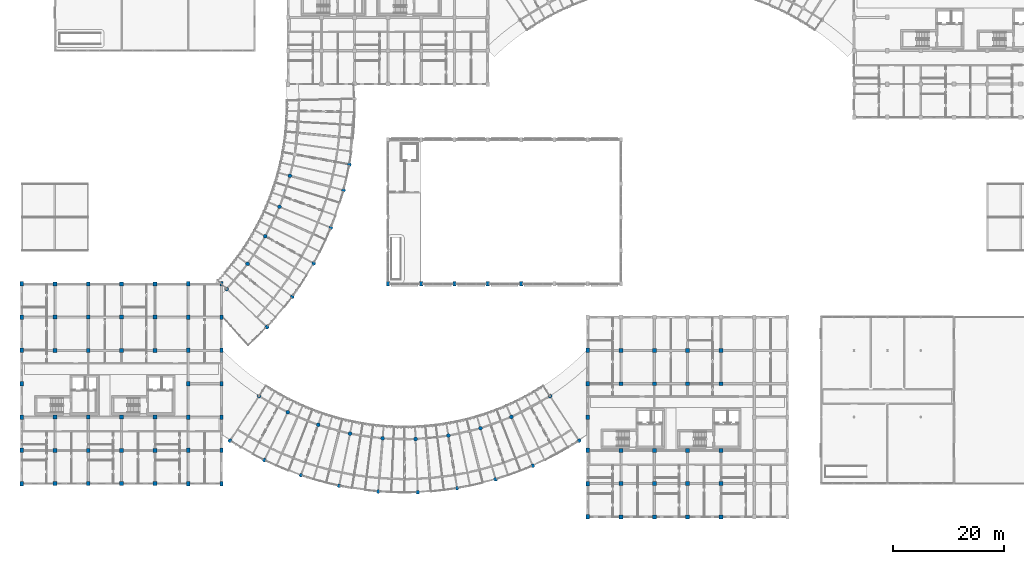
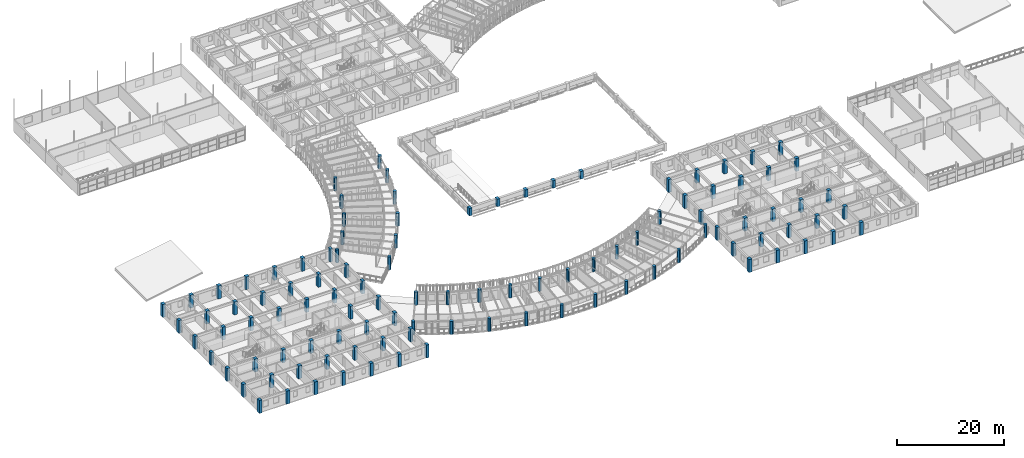
# One storey, part 1 of 137: 107 columns.
"""IFC4 building model written with IfcOpenShell, lengths in metres."""

import ifcopenshell
import ifcopenshell.guid

model = None  # the IFC model being written
_history = None  # IfcOwnerHistory: only IFC2X3 demands one
_inside = {}  # id of a spatial element -> (the spatial element, [elements in it])
_under = {}  # id of a project, library or spatial element -> (it, [spatial elements below it])
_declared = {}  # id of a project -> (the project, [libraries it declares])
_typed = {}  # id of a type object -> (the type object, [elements of that type])
_made_of = {}  # id of a material, layer set ... -> (it, [elements and type objects made of it])


def new_model(schema):
    """Start an empty IFC model of exactly this schema.

    Asked for "IFC4X3", IfcOpenShell would pick the latest addendum, in which some entities
    have other attributes; the version numbers below select the first issue.
    IFC2X3 requires an IfcOwnerHistory on every rooted entity: one is made here for all.
    """
    global model, _history
    if schema == "IFC4X3":
        model = ifcopenshell.file(schema_version=(4, 3, 0, 0))
    else:
        model = ifcopenshell.file(schema=schema)
    _inside.clear()
    _under.clear()
    _declared.clear()
    _typed.clear()
    _made_of.clear()
    _history = None
    if model.schema == "IFC2X3":
        org = make("IfcOrganization", Name="unknown")
        user = make(
            "IfcPersonAndOrganization",
            ThePerson=make("IfcPerson", FamilyName="unknown"),
            TheOrganization=org,
        )
        app = make(
            "IfcApplication",
            ApplicationDeveloper=org,
            Version="unknown",
            ApplicationFullName="unknown",
            ApplicationIdentifier="unknown",
        )
        _history = make(
            "IfcOwnerHistory",
            OwningUser=user,
            OwningApplication=app,
            ChangeAction="ADDED",
            CreationDate=0,
        )
    return model


def make(cls, **values):
    """One entity of the class cls with the attributes given. An attribute that is None is left unset."""
    return model.create_entity(
        cls, **{name: value for name, value in values.items() if value is not None}
    )


def rooted(cls, **values):
    """An entity with a GlobalId (a new one), such as an element, a storey or a relation."""
    return make(cls, GlobalId=ifcopenshell.guid.new(), OwnerHistory=_history, **values)


def si_unit(unit_type, name, prefix=None):
    """IfcSIUnit, for example si_unit("LENGTHUNIT", "METRE", prefix="MILLI")."""
    return make("IfcSIUnit", UnitType=unit_type, Prefix=prefix, Name=name)


def assignment(units):
    """IfcUnitAssignment: the units of a project."""
    return None if units is None else make("IfcUnitAssignment", Units=units)


def point(xyz):
    """IfcCartesianPoint."""
    return None if xyz is None else make("IfcCartesianPoint", Coordinates=xyz)


def direction(xyz):
    """IfcDirection."""
    return None if xyz is None else make("IfcDirection", DirectionRatios=xyz)


def frame(location, z_axis=None, x_axis=None):
    """IfcAxis2Placement3D, a coordinate frame: its origin and axes. An axis left out is left unset."""
    return make(
        "IfcAxis2Placement3D",
        Location=point(location),
        Axis=direction(z_axis),
        RefDirection=direction(x_axis),
    )


def frame_2d(location, x_axis=None):
    """IfcAxis2Placement2D, a coordinate frame in the plane: its origin and x axis."""
    return make(
        "IfcAxis2Placement2D", Location=point(location), RefDirection=direction(x_axis)
    )


def origin():
    """The frame at (0, 0, 0) with its axes left unset."""
    return frame((0.0, 0.0, 0.0))


def origin_2d():
    """The frame at (0, 0) in the plane with its x axis left unset."""
    return frame_2d((0.0, 0.0))


def place(relative_to, where):
    """IfcLocalPlacement: puts the frame where relative to a parent placement (None: the world)."""
    return make(
        "IfcLocalPlacement", PlacementRelTo=relative_to, RelativePlacement=where
    )


def context(
    kind, dimensions, precision=None, world=None, true_north=None, identifier=None
):
    """IfcGeometricRepresentationContext, for example the 3D "Model" context."""
    return make(
        "IfcGeometricRepresentationContext",
        ContextIdentifier=identifier,
        ContextType=kind,
        CoordinateSpaceDimension=dimensions,
        Precision=precision,
        WorldCoordinateSystem=world,
        TrueNorth=true_north,
    )


def subcontext(parent, identifier, kind, view, scale=None):
    """IfcGeometricRepresentationSubContext, for example "Body" below "Model"."""
    return make(
        "IfcGeometricRepresentationSubContext",
        ContextIdentifier=identifier,
        ContextType=kind,
        ParentContext=parent,
        TargetScale=scale,
        TargetView=view,
    )


def project(units=None, contexts=None):
    """IfcProject with its units and contexts."""
    return rooted(
        "IfcProject",
        Name="project",
        RepresentationContexts=contexts,
        UnitsInContext=assignment(units),
    )


def spatial(cls, under=None, at=None, **own):
    """A site, building, storey or space (cls), placed at a placement, below another one or the project."""
    s = rooted(cls, ObjectPlacement=at, **own)
    if under is not None:
        _under.setdefault(under.id(), (under, []))[1].append(s)
    return s


def profile(cls, at=None, kind="AREA", **sizes):
    """A parametric profile (cls). Its sizes go by their IFC names, for example OverallWidth=200.0."""
    return make(cls, ProfileType=kind, Position=at, **sizes)


def rectangle(**sizes):
    """IfcRectangleProfileDef."""
    return profile("IfcRectangleProfileDef", **sizes)


def circle(**sizes):
    """IfcCircleProfileDef."""
    return profile("IfcCircleProfileDef", **sizes)


def extrude(swept, where, along, depth):
    """IfcExtrudedAreaSolid: the profile swept, set in the frame where, extruded along a direction by depth."""
    return make(
        "IfcExtrudedAreaSolid",
        SweptArea=swept,
        Position=where,
        ExtrudedDirection=direction(along),
        Depth=depth,
    )


def shape(context_of_items, identifier, shape_type, items):
    """IfcShapeRepresentation: the items that make up one representation, for example the "Body"."""
    return make(
        "IfcShapeRepresentation",
        ContextOfItems=context_of_items,
        RepresentationIdentifier=identifier,
        RepresentationType=shape_type,
        Items=items,
    )


def material(Name=None, Category=None):
    """IfcMaterial."""
    return make("IfcMaterial", Name=Name, Category=Category)


def material_profile(
    of_material, cross_section, Name=None, Category=None, Priority=None
):
    """IfcMaterialProfile: a cross section and its material."""
    return make(
        "IfcMaterialProfile",
        Name=Name,
        Material=of_material,
        Profile=cross_section,
        Priority=Priority,
        Category=Category,
    )


def profile_set(profiles, Name=None, composite=None):
    """IfcMaterialProfileSet."""
    return make(
        "IfcMaterialProfileSet",
        Name=Name,
        MaterialProfiles=profiles,
        CompositeProfile=composite,
    )


def made_of(thing, what):
    """Note that an element or type object is made of a material, layer set ...; save() writes the relation."""
    if what is not None:
        _made_of.setdefault(what.id(), (what, []))[1].append(thing)
    return thing


def type_object(cls, material=None, **own):
    """A type object (cls), such as IfcWallType, which elements share."""
    return made_of(rooted(cls, **own), material)


def element(
    cls,
    number,
    at=None,
    inside=None,
    cuts=None,
    type_object=None,
    material=None,
    context=None,
    identifier="Body",
    shape_type=None,
    held_by="IfcProductDefinitionShape",
    body=None,
    shapes=None,
    **own,
):
    """One element of the class cls, such as IfcWall. Its Tag is "e" and its number.

    at: its placement. inside: the storey or other place that contains it. cuts: it is an
    opening in that element (IfcRelVoidsElement). A single representation is given by context,
    identifier, shape_type and body (its items); several are given by shapes. held_by: the class
    of the entity that holds the representations. save() writes the other relations.
    """
    e = rooted(cls, Tag="e%d" % number, ObjectPlacement=at, **own)
    if body is not None:
        shapes = [shape(context, identifier, shape_type, body)]
    if shapes is not None:
        e.Representation = make(held_by, Representations=shapes)
    if inside is not None:
        _inside.setdefault(inside.id(), (inside, []))[1].append(e)
    if cuts is not None:
        rooted(
            "IfcRelVoidsElement", RelatingBuildingElement=cuts, RelatedOpeningElement=e
        )
    if type_object is not None:
        _typed.setdefault(type_object.id(), (type_object, []))[1].append(e)
    return made_of(e, material)


def aggregate(whole, parts):
    """IfcRelAggregates: a whole, such as a stair, and the parts it consists of."""
    return rooted("IfcRelAggregates", RelatingObject=whole, RelatedObjects=parts)


def save(model, path):
    """Write the relations noted so far, then the file.

    IfcRelAggregates (storeys below a building ...), IfcRelContainedInSpatialStructure (elements
    in a storey), IfcRelDefinesByType, IfcRelAssociatesMaterial and IfcRelDeclares: one each for
    every whole, place, type object, material and project.
    """
    for whole, parts in _under.values():
        aggregate(whole, parts)
    for where, things in _inside.values():
        rooted(
            "IfcRelContainedInSpatialStructure",
            RelatedElements=things,
            RelatingStructure=where,
        )
    for kind, things in _typed.values():
        rooted("IfcRelDefinesByType", RelatedObjects=things, RelatingType=kind)
    for what, things in _made_of.values():
        rooted("IfcRelAssociatesMaterial", RelatedObjects=things, RelatingMaterial=what)
    for by, libraries in _declared.values():
        rooted("IfcRelDeclares", RelatingContext=by, RelatedDefinitions=libraries)
    model.write(path)


model = new_model("IFC4")

# Units and contexts
model_context = context("Model", 3, precision=1e-05, world=origin(), true_north=direction((0.0, 1.0)))
body_context = subcontext(model_context, "Body", "Model", "MODEL_VIEW")
ifc_project = project(units=[si_unit("LENGTHUNIT", "METRE"), si_unit("AREAUNIT", "SQUARE_METRE"), si_unit("VOLUMEUNIT", "CUBIC_METRE"), si_unit("PLANEANGLEUNIT", "RADIAN"), si_unit("MASSUNIT", "GRAM", prefix="KILO"), si_unit("POWERUNIT", "WATT"), si_unit("THERMODYNAMICTEMPERATUREUNIT", "KELVIN")], contexts=[model_context])

# Site, building, storey
site_placement = place(None, origin())
site = spatial("IfcSite", under=ifc_project, at=site_placement, CompositionType="ELEMENT")
building_placement = place(site_placement, origin())
building = spatial("IfcBuilding", under=site, at=building_placement, Name="Ruvembo Vaulted Housing Court", CompositionType="ELEMENT")
storey_placement = place(building_placement, frame((0.0, 0.0, 4.5)))
storey = spatial("IfcBuildingStorey", under=building, at=storey_placement, Name="L01", CompositionType="ELEMENT", Elevation=4.5)

# Columns
ifc_material = material(Name="Concrete C40/50", Category="concrete")
ifc_material_profile_1 = material_profile(ifc_material, rectangle(XDim=0.60009765625, YDim=0.800048828125, at=origin_2d()), Name="RC 600x800")
ifc_profile_set_1 = profile_set([ifc_material_profile_1], Name="Concrete C40/50")
column_type_1 = type_object("IfcColumnType", Name="COL-RC-600x800", PredefinedType="COLUMN", material=ifc_profile_set_1)
for number, where, z_axis, x_axis, name in (
    (1, (0.0, 6.0, 0.0), (0.0, 0.0, 1.0), (1.0, 0.0, 0.0), "L01 Column (0,6)"),
    (2, (0.0, 12.0, 0.0), (0.0, 0.0, 1.0), (1.0, 0.0, 0.0), "L01 Column (0,12)"),
    (3, (0.0, 18.0, 0.0), (0.0, 0.0, 1.0), (1.0, 0.0, 0.0), "L01 Column (0,18)"),
    (4, (0.0, 24.0, 0.0), (0.0, 0.0, 1.0), (1.0, 0.0, 0.0), "L01 Column (0,24)"),
    (5, (0.0, 30.0, 0.0), (0.0, 0.0, 1.0), (1.0, 0.0, 0.0), "L01 Column (0,30)"),
    (6, (0.0, 36.0, 0.0), (0.0, 0.0, 1.0), (1.0, 0.0, 0.0), "L01 Column (0,36)"),
    (7, (0.0, 42.0, 0.0), (0.0, 0.0, 1.0), (1.0, 0.0, 0.0), "L01 Column (0,42)"),
    (8, (30.0, 6.0, 0.0), (0.0, 0.0, 1.0), (1.0, 0.0, 0.0), "L01 Column (30,6)"),
    (9, (30.0, 12.0, 0.0), (0.0, 0.0, 1.0), (1.0, 0.0, 0.0), "L01 Column (30,12)"),
    (10, (30.0, 18.0, 0.0), (0.0, 0.0, 1.0), (1.0, 0.0, 0.0), "L01 Column (30,18)"),
    (11, (30.0, 24.0, 0.0), (0.0, 0.0, 1.0), (1.0, 0.0, 0.0), "L01 Column (30,24)"),
    (12, (30.0, 30.0, 0.0), (0.0, 0.0, 1.0), (1.0, 0.0, 0.0), "L01 Column (30,30)"),
    (13, (30.0, 36.0, 0.0), (0.0, 0.0, 1.0), (1.0, 0.0, 0.0), "L01 Column (30,36)"),
    (14, (30.0, 42.0, 0.0), (0.0, 0.0, 1.0), (1.0, 0.0, 0.0), "L01 Column (30,42)"),
    (15, (36.0, 6.0, 0.0), (0.0, 0.0, 1.0), (1.0, 0.0, 0.0), "L01 Column (36,6)"),
    (16, (36.0, 12.0, 0.0), (0.0, 0.0, 1.0), (1.0, 0.0, 0.0), "L01 Column (36,12)"),
    (17, (36.0, 18.0, 0.0), (0.0, 0.0, 1.0), (1.0, 0.0, 0.0), "L01 Column (36,18)"),
    (18, (36.0, 24.0, 0.0), (0.0, 0.0, 1.0), (1.0, 0.0, 0.0), "L01 Column (36,24)"),
    (19, (36.0, 30.0, 0.0), (0.0, 0.0, 1.0), (1.0, 0.0, 0.0), "L01 Column (36,30)"),
    (20, (36.0, 36.0, 0.0), (0.0, 0.0, 1.0), (1.0, 0.0, 0.0), "L01 Column (36,36)"),
    (21, (36.0, 42.0, 0.0), (0.0, 0.0, 1.0), (1.0, 0.0, 0.0), "L01 Column (36,42)"),
):
    element("IfcColumn", number, at=place(storey_placement, frame(where, z_axis=z_axis, x_axis=x_axis)), inside=storey, type_object=column_type_1, Name=name, PredefinedType="COLUMN", context=body_context, shape_type="SweptSolid", body=[
        extrude(rectangle(XDim=0.60009765625, YDim=0.800048828125, at=origin_2d()), origin(), (0.0, 0.0, 1.0), 2.945068359375),
    ])
for number, where, z_axis, x_axis, name in (
    (22, (66.0, 42.0, 0.0), (0.0, 0.0, 1.0), (1.0, 0.0, 0.0), "L01 Column (66,42)"),
    (23, (72.0, 42.0, 0.0), (0.0, 0.0, 1.0), (1.0, 0.0, 0.0), "L01 Column (72,42)"),
    (24, (78.0, 42.0, 0.0), (0.0, 0.0, 1.0), (1.0, 0.0, 0.0), "L01 Column (78,42)"),
    (25, (84.0, 42.0, 0.0), (0.0, 0.0, 1.0), (1.0, 0.0, 0.0), "L01 Column (84,42)"),
    (26, (90.0, 42.0, 0.0), (0.0, 0.0, 1.0), (1.0, 0.0, 0.0), "L01 Column (90,42)"),
):
    element("IfcColumn", number, at=place(storey_placement, frame(where, z_axis=z_axis, x_axis=x_axis)), inside=storey, type_object=column_type_1, Name=name, PredefinedType="COLUMN", context=body_context, shape_type="SweptSolid", body=[
        extrude(rectangle(XDim=0.60009765625, YDim=0.800048828125, at=origin_2d()), origin(), (0.0, 0.0, 1.0), 1.719970703125),
    ])
for number, where, z_axis, x_axis, name in (
    (27, (102.0, 0.0, 0.0), (0.0, 0.0, 1.0), (1.0, 0.0, 0.0), "L01 Column (102,0)"),
    (28, (102.0, 6.0, 0.0), (0.0, 0.0, 1.0), (1.0, 0.0, 0.0), "L01 Column (102,6)"),
    (29, (102.0, 12.0, 0.0), (0.0, 0.0, 1.0), (1.0, 0.0, 0.0), "L01 Column (102,12)"),
    (30, (102.0, 18.0, 0.0), (0.0, 0.0, 1.0), (1.0, 0.0, 0.0), "L01 Column (102,18)"),
    (31, (102.0, 24.0, 0.0), (0.0, 0.0, 1.0), (1.0, 0.0, 0.0), "L01 Column (102,24)"),
    (32, (102.0, 30.0, 0.0), (0.0, 0.0, 1.0), (1.0, 0.0, 0.0), "L01 Column (102,30)"),
):
    element("IfcColumn", number, at=place(storey_placement, frame(where, z_axis=z_axis, x_axis=x_axis)), inside=storey, type_object=column_type_1, Name=name, PredefinedType="COLUMN", context=body_context, shape_type="SweptSolid", body=[
        extrude(rectangle(XDim=0.60009765625, YDim=0.800048828125, at=origin_2d()), origin(), (0.0, 0.0, 1.0), 2.945068359375),
    ])
ifc_material_profile_2 = material_profile(ifc_material, rectangle(XDim=0.699951171875, YDim=0.699951171875, at=origin_2d()), Name="RC 700x700")
ifc_profile_set_2 = profile_set([ifc_material_profile_2], Name="Concrete C40/50")
column_type_2 = type_object("IfcColumnType", Name="COL-RC-700", PredefinedType="COLUMN", material=ifc_profile_set_2)
for number, where, z_axis, x_axis, name in (
    (33, (6.0, 6.0, 0.0), (0.0, 0.0, 1.0), (1.0, 0.0, 0.0), "L01 Column (6,6)"),
    (34, (6.0, 12.0, 0.0), (0.0, 0.0, 1.0), (1.0, 0.0, 0.0), "L01 Column (6,12)"),
    (35, (6.0, 18.0, 0.0), (0.0, 0.0, 1.0), (1.0, 0.0, 0.0), "L01 Column (6,18)"),
    (36, (6.0, 30.0, 0.0), (0.0, 0.0, 1.0), (1.0, 0.0, 0.0), "L01 Column (6,30)"),
    (37, (6.0, 36.0, 0.0), (0.0, 0.0, 1.0), (1.0, 0.0, 0.0), "L01 Column (6,36)"),
    (38, (6.0, 42.0, 0.0), (0.0, 0.0, 1.0), (1.0, 0.0, 0.0), "L01 Column (6,42)"),
    (39, (12.0, 6.0, 0.0), (0.0, 0.0, 1.0), (1.0, 0.0, 0.0), "L01 Column (12,6)"),
    (40, (12.0, 12.0, 0.0), (0.0, 0.0, 1.0), (1.0, 0.0, 0.0), "L01 Column (12,12)"),
    (41, (12.0, 18.0, 0.0), (0.0, 0.0, 1.0), (1.0, 0.0, 0.0), "L01 Column (12,18)"),
    (42, (12.0, 30.0, 0.0), (0.0, 0.0, 1.0), (1.0, 0.0, 0.0), "L01 Column (12,30)"),
    (43, (12.0, 36.0, 0.0), (0.0, 0.0, 1.0), (1.0, 0.0, 0.0), "L01 Column (12,36)"),
    (44, (12.0, 42.0, 0.0), (0.0, 0.0, 1.0), (1.0, 0.0, 0.0), "L01 Column (12,42)"),
    (45, (18.0, 6.0, 0.0), (0.0, 0.0, 1.0), (1.0, 0.0, 0.0), "L01 Column (18,6)"),
    (46, (18.0, 12.0, 0.0), (0.0, 0.0, 1.0), (1.0, 0.0, 0.0), "L01 Column (18,12)"),
    (47, (18.0, 18.0, 0.0), (0.0, 0.0, 1.0), (1.0, 0.0, 0.0), "L01 Column (18,18)"),
    (48, (18.0, 30.0, 0.0), (0.0, 0.0, 1.0), (1.0, 0.0, 0.0), "L01 Column (18,30)"),
    (49, (18.0, 36.0, 0.0), (0.0, 0.0, 1.0), (1.0, 0.0, 0.0), "L01 Column (18,36)"),
    (50, (18.0, 42.0, 0.0), (0.0, 0.0, 1.0), (1.0, 0.0, 0.0), "L01 Column (18,42)"),
    (51, (24.0, 6.0, 0.0), (0.0, 0.0, 1.0), (1.0, 0.0, 0.0), "L01 Column (24,6)"),
    (52, (24.0, 12.0, 0.0), (0.0, 0.0, 1.0), (1.0, 0.0, 0.0), "L01 Column (24,12)"),
    (53, (24.0, 18.0, 0.0), (0.0, 0.0, 1.0), (1.0, 0.0, 0.0), "L01 Column (24,18)"),
    (54, (24.0, 30.0, 0.0), (0.0, 0.0, 1.0), (1.0, 0.0, 0.0), "L01 Column (24,30)"),
    (55, (24.0, 36.0, 0.0), (0.0, 0.0, 1.0), (1.0, 0.0, 0.0), "L01 Column (24,36)"),
    (56, (24.0, 42.0, 0.0), (0.0, 0.0, 1.0), (1.0, 0.0, 0.0), "L01 Column (24,42)"),
    (57, (108.0, 0.0, 0.0), (0.0, 0.0, 1.0), (1.0, 0.0, 0.0), "L01 Column (108,0)"),
    (58, (108.0, 6.0, 0.0), (0.0, 0.0, 1.0), (1.0, 0.0, 0.0), "L01 Column (108,6)"),
    (59, (108.0, 12.0, 0.0), (0.0, 0.0, 1.0), (1.0, 0.0, 0.0), "L01 Column (108,12)"),
    (60, (108.0, 24.0, 0.0), (0.0, 0.0, 1.0), (1.0, 0.0, 0.0), "L01 Column (108,24)"),
    (61, (108.0, 30.0, 0.0), (0.0, 0.0, 1.0), (1.0, 0.0, 0.0), "L01 Column (108,30)"),
    (62, (114.0, 0.0, 0.0), (0.0, 0.0, 1.0), (1.0, 0.0, 0.0), "L01 Column (114,0)"),
    (63, (114.0, 6.0, 0.0), (0.0, 0.0, 1.0), (1.0, 0.0, 0.0), "L01 Column (114,6)"),
    (64, (114.0, 12.0, 0.0), (0.0, 0.0, 1.0), (1.0, 0.0, 0.0), "L01 Column (114,12)"),
    (65, (114.0, 24.0, 0.0), (0.0, 0.0, 1.0), (1.0, 0.0, 0.0), "L01 Column (114,24)"),
    (66, (114.0, 30.0, 0.0), (0.0, 0.0, 1.0), (1.0, 0.0, 0.0), "L01 Column (114,30)"),
    (67, (120.0, 0.0, 0.0), (0.0, 0.0, 1.0), (1.0, 0.0, 0.0), "L01 Column (120,0)"),
    (68, (120.0, 6.0, 0.0), (0.0, 0.0, 1.0), (1.0, 0.0, 0.0), "L01 Column (120,6)"),
    (69, (120.0, 12.0, 0.0), (0.0, 0.0, 1.0), (1.0, 0.0, 0.0), "L01 Column (120,12)"),
    (70, (120.0, 24.0, 0.0), (0.0, 0.0, 1.0), (1.0, 0.0, 0.0), "L01 Column (120,24)"),
    (71, (120.0, 30.0, 0.0), (0.0, 0.0, 1.0), (1.0, 0.0, 0.0), "L01 Column (120,30)"),
    (72, (126.0, 0.0, 0.0), (0.0, 0.0, 1.0), (1.0, 0.0, 0.0), "L01 Column (126,0)"),
    (73, (126.0, 6.0, 0.0), (0.0, 0.0, 1.0), (1.0, 0.0, 0.0), "L01 Column (126,6)"),
    (74, (126.0, 12.0, 0.0), (0.0, 0.0, 1.0), (1.0, 0.0, 0.0), "L01 Column (126,12)"),
    (75, (126.0, 24.0, 0.0), (0.0, 0.0, 1.0), (1.0, 0.0, 0.0), "L01 Column (126,24)"),
    (76, (126.0, 30.0, 0.0), (0.0, 0.0, 1.0), (1.0, 0.0, 0.0), "L01 Column (126,30)"),
):
    element("IfcColumn", number, at=place(storey_placement, frame(where, z_axis=z_axis, x_axis=x_axis)), inside=storey, type_object=column_type_2, Name=name, PredefinedType="COLUMN", context=body_context, shape_type="SweptSolid", body=[
        extrude(rectangle(XDim=0.699951171875, YDim=0.699951171875, at=origin_2d()), origin(), (0.0, 0.0, 1.0), 2.945068359375),
    ])
ifc_material_profile_3 = material_profile(ifc_material, circle(Radius=0.35009765625, at=origin_2d()), Name="RC D700")
ifc_profile_set_3 = profile_set([ifc_material_profile_3], Name="Concrete C40/50")
column_type_3 = type_object("IfcColumnType", Name="PILOTIS-D700", PredefinedType="COLUMN", material=ifc_profile_set_3)
for number, where, z_axis, x_axis, name in (
    (77, (36.9306640625, 41.078125, 0.0), (0.0, 0.0, 1.0), (1.0, 0.0, 0.0), "L01 Scooped Pier CP-SC1-F01"),
    (78, (44.207763671875, 34.21923828125, 0.0), (0.0, 0.0, 1.0), (1.0, 0.0, 0.0), "L01 Scooped Pier CP-SC1-B01"),
    (79, (40.7041015625, 45.60986328125, 0.0), (0.0, 0.0, 1.0), (1.0, 0.0, 0.0), "L01 Scooped Pier CP-SC1-F02"),
    (80, (48.767333984375, 39.6953125, 0.0), (0.0, 0.0, 1.0), (1.0, 0.0, 0.0), "L01 Scooped Pier CP-SC1-B02"),
    (81, (43.89306640625, 50.570068359375, 0.0), (0.0, 0.0, 1.0), (1.0, 0.0, 0.0), "L01 Scooped Pier CP-SC1-F03"),
    (82, (52.620849609375, 45.688720703125, 0.0), (0.0, 0.0, 1.0), (1.0, 0.0, 0.0), "L01 Scooped Pier CP-SC1-B03"),
    (83, (46.449951171875, 55.8837890625, 0.0), (0.0, 0.0, 1.0), (1.0, 0.0, 0.0), "L01 Scooped Pier CP-SC1-F04"),
    (84, (55.71044921875, 52.109619140625, 0.0), (0.0, 0.0, 1.0), (1.0, 0.0, 0.0), "L01 Scooped Pier CP-SC1-B04"),
    (85, (48.3359375, 61.47119140625, 0.0), (0.0, 0.0, 1.0), (1.0, 0.0, 0.0), "L01 Scooped Pier CP-SC1-F05"),
    (86, (57.989501953125, 58.861083984375, 0.0), (0.0, 0.0, 1.0), (1.0, 0.0, 0.0), "L01 Scooped Pier CP-SC1-B05"),
    (87, (59.040771484375, 63.495361328125, 0.0), (0.0, 0.0, 1.0), (1.0, 0.0, 0.0), "L01 Scooped Pier CP-SC1-B06"),
    (88, (42.79345703125, 21.785400390625, 0.0), (0.0, 0.0, 1.0), (1.0, 0.0, 0.0), "L01 Scooped Pier CP-SC2-F01"),
    (89, (37.55224609375, 13.742431640625, 0.0), (0.0, 0.0, 1.0), (1.0, 0.0, 0.0), "L01 Scooped Pier CP-SC2-B01"),
    (90, (47.958251953125, 18.85791015625, 0.0), (0.0, 0.0, 1.0), (1.0, 0.0, 0.0), "L01 Scooped Pier CP-SC2-F02"),
    (91, (43.749755859375, 10.2294921875, 0.0), (0.0, 0.0, 1.0), (1.0, 0.0, 0.0), "L01 Scooped Pier CP-SC2-B02"),
    (92, (53.44482421875, 16.59033203125, 0.0), (0.0, 0.0, 1.0), (1.0, 0.0, 0.0), "L01 Scooped Pier CP-SC2-F03"),
    (93, (50.333740234375, 7.50830078125, 0.0), (0.0, 0.0, 1.0), (1.0, 0.0, 0.0), "L01 Scooped Pier CP-SC2-B03"),
    (94, (59.169189453125, 15.017578125, 0.0), (0.0, 0.0, 1.0), (1.0, 0.0, 0.0), "L01 Scooped Pier CP-SC2-F04"),
    (95, (57.203125, 5.62109375, 0.0), (0.0, 0.0, 1.0), (1.0, 0.0, 0.0), "L01 Scooped Pier CP-SC2-B04"),
    (96, (65.044189453125, 14.163330078125, 0.0), (0.0, 0.0, 1.0), (1.0, 0.0, 0.0), "L01 Scooped Pier CP-SC2-F05"),
    (97, (64.2529296875, 4.595947265625, 0.0), (0.0, 0.0, 1.0), (1.0, 0.0, 0.0), "L01 Scooped Pier CP-SC2-B05"),
    (98, (70.9794921875, 14.040771484375, 0.0), (0.0, 0.0, 1.0), (1.0, 0.0, 0.0), "L01 Scooped Pier CP-SC2-F06"),
    (99, (71.37548828125, 4.448974609375, 0.0), (0.0, 0.0, 1.0), (1.0, 0.0, 0.0), "L01 Scooped Pier CP-SC2-B06"),
    (100, (76.884765625, 14.652099609375, 0.0), (0.0, 0.0, 1.0), (1.0, 0.0, 0.0), "L01 Scooped Pier CP-SC2-F07"),
    (101, (78.461669921875, 5.182373046875, 0.0), (0.0, 0.0, 1.0), (1.0, 0.0, 0.0), "L01 Scooped Pier CP-SC2-B07"),
    (102, (82.669189453125, 15.987548828125, 0.0), (0.0, 0.0, 1.0), (1.0, 0.0, 0.0), "L01 Scooped Pier CP-SC2-F08"),
    (103, (85.403076171875, 6.784912109375, 0.0), (0.0, 0.0, 1.0), (1.0, 0.0, 0.0), "L01 Scooped Pier CP-SC2-B08"),
    (104, (88.24462890625, 18.02685546875, 0.0), (0.0, 0.0, 1.0), (1.0, 0.0, 0.0), "L01 Scooped Pier CP-SC2-F09"),
    (105, (92.093505859375, 9.232177734375, 0.0), (0.0, 0.0, 1.0), (1.0, 0.0, 0.0), "L01 Scooped Pier CP-SC2-B09"),
    (106, (95.20654296875, 21.785400390625, 0.0), (0.0, 0.0, 1.0), (1.0, 0.0, 0.0), "L01 Scooped Pier CP-SC2-F10"),
    (107, (100.44775390625, 13.742431640625, 0.0), (0.0, 0.0, 1.0), (1.0, 0.0, 0.0), "L01 Scooped Pier CP-SC2-B10"),
):
    element("IfcColumn", number, at=place(storey_placement, frame(where, z_axis=z_axis, x_axis=x_axis)), inside=storey, type_object=column_type_3, Name=name, PredefinedType="COLUMN", context=body_context, shape_type="SweptSolid", body=[
        extrude(circle(Radius=0.35009765625, at=origin_2d()), origin(), (0.0, 0.0, 1.0), 2.947998046875),
    ])

save(model, "model.ifc")
